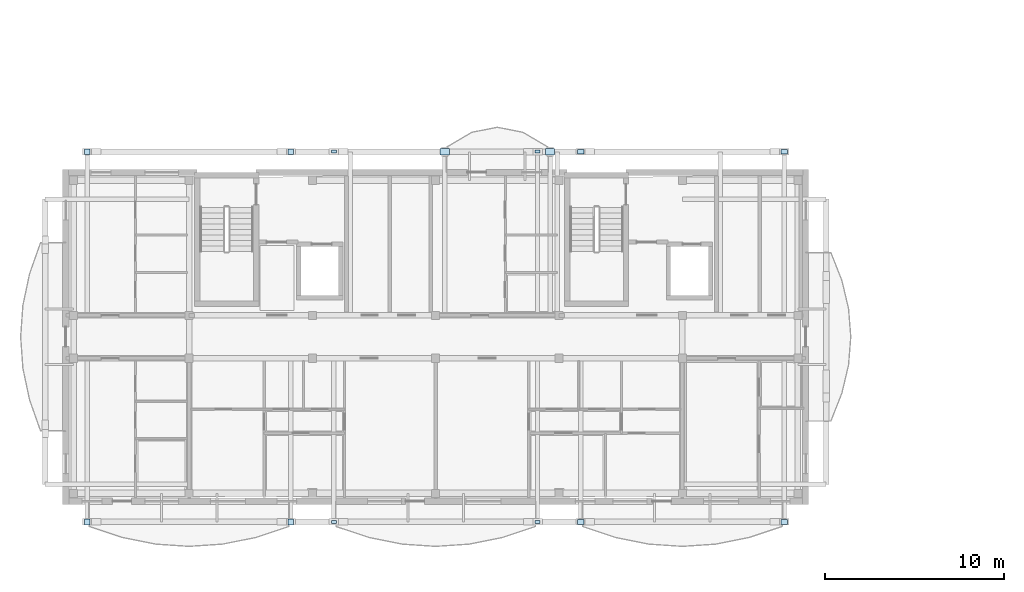
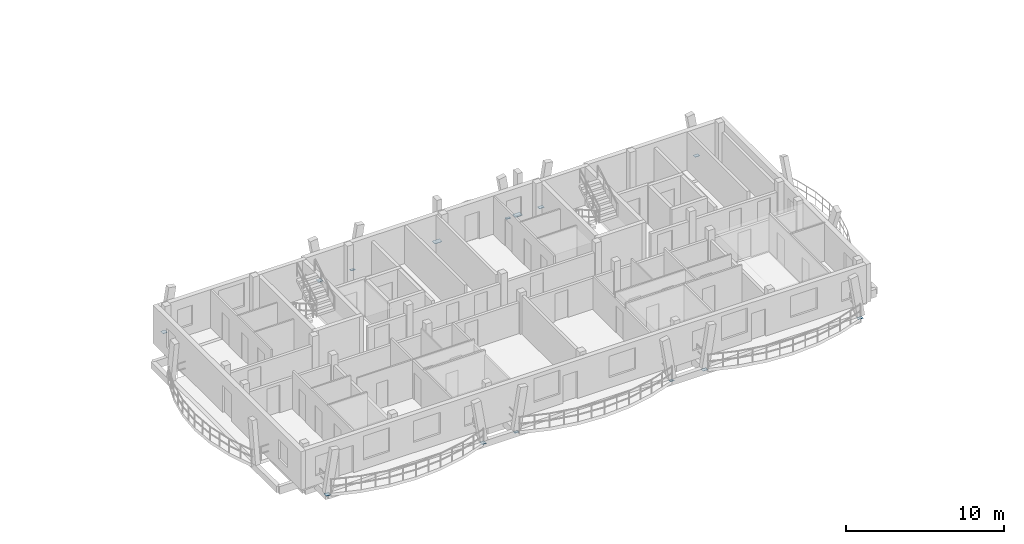
# One storey, part 7 of 29: 14 plates.
"""IFC4 building model written with IfcOpenShell, lengths in metres."""

from ifc_helpers import new_model, si_unit, direction, frame, origin, origin_2d, place, context, subcontext, project, spatial, rectangle, extrude, material, layer, layer_set, type_object, element, save


model = new_model("IFC4")

# Units and contexts
model_context = context("Model", 3, precision=1e-05, world=origin(), true_north=direction((0.0, 1.0)))
body_context = subcontext(model_context, "Body", "Model", "MODEL_VIEW")
ifc_project = project(units=[si_unit("LENGTHUNIT", "METRE"), si_unit("AREAUNIT", "SQUARE_METRE"), si_unit("VOLUMEUNIT", "CUBIC_METRE"), si_unit("PLANEANGLEUNIT", "RADIAN"), si_unit("MASSUNIT", "GRAM", prefix="KILO")], contexts=[model_context])

# Site, building, storey
site_placement = place(None, origin())
site = spatial("IfcSite", under=ifc_project, at=site_placement, CompositionType="ELEMENT")
building_placement = place(site_placement, origin())
building = spatial("IfcBuilding", under=site, at=building_placement, Name="Zavelmont Quarter", CompositionType="ELEMENT")
storey_placement = place(building_placement, frame((0.0, 0.0, 33.60009765625)))
storey = spatial("IfcBuildingStorey", under=building, at=storey_placement, Name="L10", CompositionType="ELEMENT", Elevation=33.60009765625)

# Plates
ifc_material = material(Name="Steel S355", Category="steel")
ifc_layer_1 = layer(ifc_material, 0.02001953125)
ifc_layer_set_1 = layer_set([ifc_layer_1], Name="Steel S355")
plate_type_1 = type_object("IfcPlateType", Name="NP01", PredefinedType="SHEET", material=ifc_layer_set_1)
for number, where, z_axis, x_axis, name in (
    (1, (15.00537109375, -1.162109375, -0.210205078125), (0.0, 0.0, 1.0), (1.0, 0.0, 0.0), "L10 steel connection plate NP01 at 3/A"),
    (2, (26.394775390625, -1.162109375, -0.210205078125), (0.0, 0.0, 1.0), (1.0, 0.0, 0.0), "L10 steel connection plate NP01 at 5/A"),
    (3, (15.00537109375, 19.56201171875, -0.210205078125), (0.0, 0.0, 1.0), (1.0, 0.0, 0.0), "L10 steel connection plate NP01 at 3/D"),
    (4, (26.394775390625, 19.56201171875, -0.210205078125), (0.0, 0.0, 1.0), (1.0, 0.0, 0.0), "L10 steel connection plate NP01 at 5/D"),
):
    element("IfcPlate", number, at=place(storey_placement, frame(where, z_axis=z_axis, x_axis=x_axis)), inside=storey, type_object=plate_type_1, Name=name, PredefinedType="SHEET", context=body_context, shape_type="SweptSolid", body=[
        extrude(rectangle(XDim=0.280029296875, YDim=0.179931640625, at=origin_2d()), origin(), (0.0, 0.0, 1.0), 0.02001953125),
    ])
ifc_layer_2 = layer(ifc_material, 0.02392578125)
ifc_layer_set_2 = layer_set([ifc_layer_2], Name="Steel S355")
plate_type_2 = type_object("IfcPlateType", Name="NP02", PredefinedType="SHEET", material=ifc_layer_set_2)
for number, where, z_axis, x_axis, name in (
    (5, (28.805419921875, -1.162109375, -0.212158203125), (0.0, 0.0, 1.0), (1.0, 0.0, 0.0), "L10 steel connection plate NP02 at 5/A"),
    (6, (40.194580078125, -1.162109375, -0.212158203125), (0.0, 0.0, 1.0), (1.0, 0.0, 0.0), "L10 steel connection plate NP02 at 7/A"),
    (7, (28.805419921875, 19.56201171875, -0.212158203125), (0.0, 0.0, 1.0), (1.0, 0.0, 0.0), "L10 steel connection plate NP02 at 5/D"),
    (8, (40.194580078125, 19.56201171875, -0.212158203125), (0.0, 0.0, 1.0), (1.0, 0.0, 0.0), "L10 steel connection plate NP02 at 7/D"),
):
    element("IfcPlate", number, at=place(storey_placement, frame(where, z_axis=z_axis, x_axis=x_axis)), inside=storey, type_object=plate_type_2, Name=name, PredefinedType="SHEET", context=body_context, shape_type="SweptSolid", body=[
        extrude(rectangle(XDim=0.360107421875, YDim=0.260009765625, at=origin_2d()), origin(), (0.0, 0.0, 1.0), 0.02392578125),
    ])
ifc_layer_3 = layer(ifc_material, 0.028076171875)
ifc_layer_set_3 = layer_set([ifc_layer_3], Name="Steel S355")
plate_type_3 = type_object("IfcPlateType", Name="NP04", PredefinedType="SHEET", material=ifc_layer_set_3)
for number, where, z_axis, x_axis, name in (
    (9, (21.199951171875, 19.56201171875, -0.21435546875), (0.0, 0.0, 1.0), (1.0, 0.0, 0.0), "L10 steel connection plate NP04 at 4/D"),
    (10, (27.10009765625, 19.56201171875, -0.21435546875), (0.0, 0.0, 1.0), (1.0, 0.0, 0.0), "L10 steel connection plate NP04 at 5/D"),
):
    element("IfcPlate", number, at=place(storey_placement, frame(where, z_axis=z_axis, x_axis=x_axis)), inside=storey, type_object=plate_type_3, Name=name, PredefinedType="SHEET", context=body_context, shape_type="SweptSolid", body=[
        extrude(rectangle(XDim=0.52001953125, YDim=0.360107421875, at=origin_2d()), origin(), (0.0, 0.0, 1.0), 0.028076171875),
    ])
ifc_layer_4 = layer(ifc_material, 0.02197265625)
ifc_layer_set_4 = layer_set([ifc_layer_4], Name="Steel S355")
plate_type_4 = type_object("IfcPlateType", Name="NP06", PredefinedType="SHEET", material=ifc_layer_set_4)
for number, where, z_axis, x_axis, name in (
    (11, (1.205322265625, -1.162109375, -0.211181640625), (0.0, 0.0, 1.0), (1.0, 0.0, 0.0), "L10 steel connection plate NP06 at 1/A"),
    (12, (12.5947265625, -1.162109375, -0.211181640625), (0.0, 0.0, 1.0), (1.0, 0.0, 0.0), "L10 steel connection plate NP06 at 3/A"),
    (13, (1.205322265625, 19.56201171875, -0.211181640625), (0.0, 0.0, 1.0), (1.0, 0.0, 0.0), "L10 steel connection plate NP06 at 1/D"),
    (14, (12.5947265625, 19.56201171875, -0.211181640625), (0.0, 0.0, 1.0), (1.0, 0.0, 0.0), "L10 steel connection plate NP06 at 3/D"),
):
    element("IfcPlate", number, at=place(storey_placement, frame(where, z_axis=z_axis, x_axis=x_axis)), inside=storey, type_object=plate_type_4, Name=name, PredefinedType="SHEET", context=body_context, shape_type="SweptSolid", body=[
        extrude(rectangle(XDim=0.320068359375, YDim=0.320068359375, at=origin_2d()), origin(), (0.0, 0.0, 1.0), 0.02197265625),
    ])

save(model, "model.ifc")
